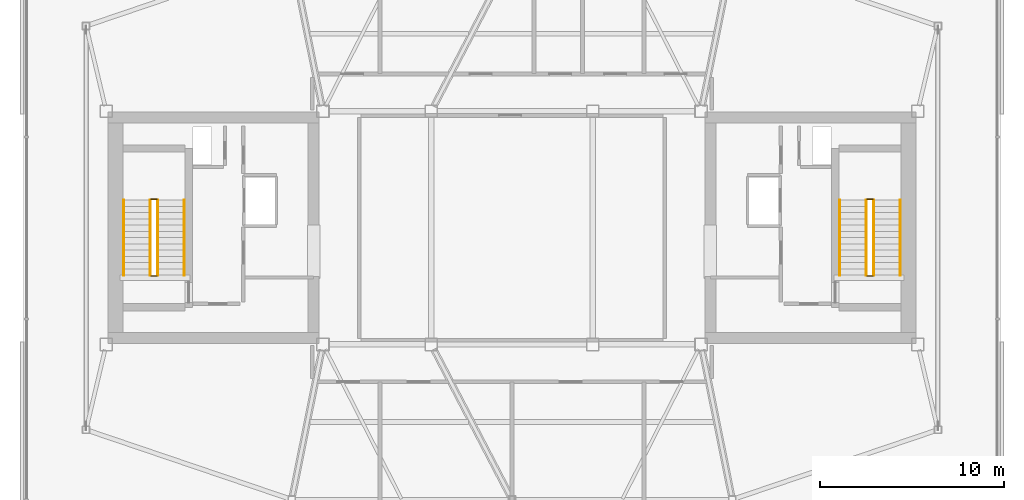
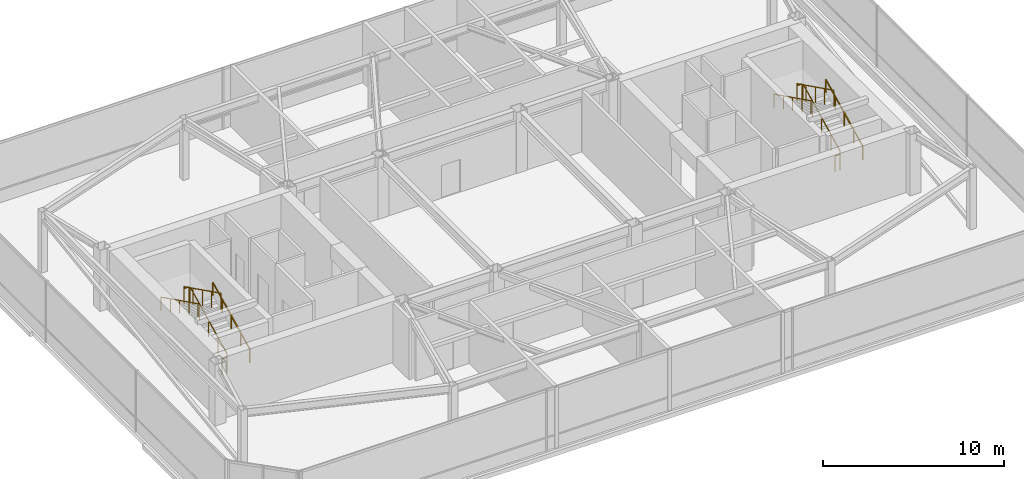
# One storey, part 21 of 21: 12 railings.
"""IFC4 building model written with IfcOpenShell, lengths in metres."""

import ifcopenshell
import ifcopenshell.guid

model = None  # the IFC model being written
_history = None  # IfcOwnerHistory: only IFC2X3 demands one
_inside = {}  # id of a spatial element -> (the spatial element, [elements in it])
_under = {}  # id of a project, library or spatial element -> (it, [spatial elements below it])
_declared = {}  # id of a project -> (the project, [libraries it declares])
_typed = {}  # id of a type object -> (the type object, [elements of that type])
_made_of = {}  # id of a material, layer set ... -> (it, [elements and type objects made of it])


def new_model(schema):
    """Start an empty IFC model of exactly this schema.

    Asked for "IFC4X3", IfcOpenShell would pick the latest addendum, in which some entities
    have other attributes; the version numbers below select the first issue.
    IFC2X3 requires an IfcOwnerHistory on every rooted entity: one is made here for all.
    """
    global model, _history
    if schema == "IFC4X3":
        model = ifcopenshell.file(schema_version=(4, 3, 0, 0))
    else:
        model = ifcopenshell.file(schema=schema)
    _inside.clear()
    _under.clear()
    _declared.clear()
    _typed.clear()
    _made_of.clear()
    _history = None
    if model.schema == "IFC2X3":
        org = make("IfcOrganization", Name="unknown")
        user = make(
            "IfcPersonAndOrganization",
            ThePerson=make("IfcPerson", FamilyName="unknown"),
            TheOrganization=org,
        )
        app = make(
            "IfcApplication",
            ApplicationDeveloper=org,
            Version="unknown",
            ApplicationFullName="unknown",
            ApplicationIdentifier="unknown",
        )
        _history = make(
            "IfcOwnerHistory",
            OwningUser=user,
            OwningApplication=app,
            ChangeAction="ADDED",
            CreationDate=0,
        )
    return model


def make(cls, **values):
    """One entity of the class cls with the attributes given. An attribute that is None is left unset."""
    return model.create_entity(
        cls, **{name: value for name, value in values.items() if value is not None}
    )


def rooted(cls, **values):
    """An entity with a GlobalId (a new one), such as an element, a storey or a relation."""
    return make(cls, GlobalId=ifcopenshell.guid.new(), OwnerHistory=_history, **values)


def si_unit(unit_type, name, prefix=None):
    """IfcSIUnit, for example si_unit("LENGTHUNIT", "METRE", prefix="MILLI")."""
    return make("IfcSIUnit", UnitType=unit_type, Prefix=prefix, Name=name)


def assignment(units):
    """IfcUnitAssignment: the units of a project."""
    return None if units is None else make("IfcUnitAssignment", Units=units)


def point(xyz):
    """IfcCartesianPoint."""
    return None if xyz is None else make("IfcCartesianPoint", Coordinates=xyz)


def direction(xyz):
    """IfcDirection."""
    return None if xyz is None else make("IfcDirection", DirectionRatios=xyz)


def frame(location, z_axis=None, x_axis=None):
    """IfcAxis2Placement3D, a coordinate frame: its origin and axes. An axis left out is left unset."""
    return make(
        "IfcAxis2Placement3D",
        Location=point(location),
        Axis=direction(z_axis),
        RefDirection=direction(x_axis),
    )


def frame_2d(location, x_axis=None):
    """IfcAxis2Placement2D, a coordinate frame in the plane: its origin and x axis."""
    return make(
        "IfcAxis2Placement2D", Location=point(location), RefDirection=direction(x_axis)
    )


def origin():
    """The frame at (0, 0, 0) with its axes left unset."""
    return frame((0.0, 0.0, 0.0))


def origin_2d():
    """The frame at (0, 0) in the plane with its x axis left unset."""
    return frame_2d((0.0, 0.0))


def place(relative_to, where):
    """IfcLocalPlacement: puts the frame where relative to a parent placement (None: the world)."""
    return make(
        "IfcLocalPlacement", PlacementRelTo=relative_to, RelativePlacement=where
    )


def context(
    kind, dimensions, precision=None, world=None, true_north=None, identifier=None
):
    """IfcGeometricRepresentationContext, for example the 3D "Model" context."""
    return make(
        "IfcGeometricRepresentationContext",
        ContextIdentifier=identifier,
        ContextType=kind,
        CoordinateSpaceDimension=dimensions,
        Precision=precision,
        WorldCoordinateSystem=world,
        TrueNorth=true_north,
    )


def subcontext(parent, identifier, kind, view, scale=None):
    """IfcGeometricRepresentationSubContext, for example "Body" below "Model"."""
    return make(
        "IfcGeometricRepresentationSubContext",
        ContextIdentifier=identifier,
        ContextType=kind,
        ParentContext=parent,
        TargetScale=scale,
        TargetView=view,
    )


def project(units=None, contexts=None):
    """IfcProject with its units and contexts."""
    return rooted(
        "IfcProject",
        Name="project",
        RepresentationContexts=contexts,
        UnitsInContext=assignment(units),
    )


def spatial(cls, under=None, at=None, **own):
    """A site, building, storey or space (cls), placed at a placement, below another one or the project."""
    s = rooted(cls, ObjectPlacement=at, **own)
    if under is not None:
        _under.setdefault(under.id(), (under, []))[1].append(s)
    return s


def profile(cls, at=None, kind="AREA", **sizes):
    """A parametric profile (cls). Its sizes go by their IFC names, for example OverallWidth=200.0."""
    return make(cls, ProfileType=kind, Position=at, **sizes)


def rectangle(**sizes):
    """IfcRectangleProfileDef."""
    return profile("IfcRectangleProfileDef", **sizes)


def extrude(swept, where, along, depth):
    """IfcExtrudedAreaSolid: the profile swept, set in the frame where, extruded along a direction by depth."""
    return make(
        "IfcExtrudedAreaSolid",
        SweptArea=swept,
        Position=where,
        ExtrudedDirection=direction(along),
        Depth=depth,
    )


def shape(context_of_items, identifier, shape_type, items):
    """IfcShapeRepresentation: the items that make up one representation, for example the "Body"."""
    return make(
        "IfcShapeRepresentation",
        ContextOfItems=context_of_items,
        RepresentationIdentifier=identifier,
        RepresentationType=shape_type,
        Items=items,
    )


def material(Name=None, Category=None):
    """IfcMaterial."""
    return make("IfcMaterial", Name=Name, Category=Category)


def layer(
    of_material, thickness, ventilated=None, Name=None, Category=None, Priority=None
):
    """IfcMaterialLayer: one layer of a wall or slab, of a material (None: an air gap)."""
    return make(
        "IfcMaterialLayer",
        Material=of_material,
        LayerThickness=thickness,
        IsVentilated=ventilated,
        Name=Name,
        Category=Category,
        Priority=Priority,
    )


def layer_set(layers, Name=None):
    """IfcMaterialLayerSet."""
    return make("IfcMaterialLayerSet", MaterialLayers=layers, LayerSetName=Name)


def made_of(thing, what):
    """Note that an element or type object is made of a material, layer set ...; save() writes the relation."""
    if what is not None:
        _made_of.setdefault(what.id(), (what, []))[1].append(thing)
    return thing


def type_object(cls, material=None, **own):
    """A type object (cls), such as IfcWallType, which elements share."""
    return made_of(rooted(cls, **own), material)


def element(
    cls,
    number,
    at=None,
    inside=None,
    cuts=None,
    type_object=None,
    material=None,
    context=None,
    identifier="Body",
    shape_type=None,
    held_by="IfcProductDefinitionShape",
    body=None,
    shapes=None,
    **own,
):
    """One element of the class cls, such as IfcWall. Its Tag is "e" and its number.

    at: its placement. inside: the storey or other place that contains it. cuts: it is an
    opening in that element (IfcRelVoidsElement). A single representation is given by context,
    identifier, shape_type and body (its items); several are given by shapes. held_by: the class
    of the entity that holds the representations. save() writes the other relations.
    """
    e = rooted(cls, Tag="e%d" % number, ObjectPlacement=at, **own)
    if body is not None:
        shapes = [shape(context, identifier, shape_type, body)]
    if shapes is not None:
        e.Representation = make(held_by, Representations=shapes)
    if inside is not None:
        _inside.setdefault(inside.id(), (inside, []))[1].append(e)
    if cuts is not None:
        rooted(
            "IfcRelVoidsElement", RelatingBuildingElement=cuts, RelatedOpeningElement=e
        )
    if type_object is not None:
        _typed.setdefault(type_object.id(), (type_object, []))[1].append(e)
    return made_of(e, material)


def aggregate(whole, parts):
    """IfcRelAggregates: a whole, such as a stair, and the parts it consists of."""
    return rooted("IfcRelAggregates", RelatingObject=whole, RelatedObjects=parts)


def save(model, path):
    """Write the relations noted so far, then the file.

    IfcRelAggregates (storeys below a building ...), IfcRelContainedInSpatialStructure (elements
    in a storey), IfcRelDefinesByType, IfcRelAssociatesMaterial and IfcRelDeclares: one each for
    every whole, place, type object, material and project.
    """
    for whole, parts in _under.values():
        aggregate(whole, parts)
    for where, things in _inside.values():
        rooted(
            "IfcRelContainedInSpatialStructure",
            RelatedElements=things,
            RelatingStructure=where,
        )
    for kind, things in _typed.values():
        rooted("IfcRelDefinesByType", RelatedObjects=things, RelatingType=kind)
    for what, things in _made_of.values():
        rooted("IfcRelAssociatesMaterial", RelatedObjects=things, RelatingMaterial=what)
    for by, libraries in _declared.values():
        rooted("IfcRelDeclares", RelatingContext=by, RelatedDefinitions=libraries)
    model.write(path)


model = new_model("IFC4")

# Units and contexts
model_context = context("Model", 3, precision=1e-05, world=origin(), true_north=direction((0.0, 1.0)))
body_context = subcontext(model_context, "Body", "Model", "MODEL_VIEW")
ifc_project = project(units=[si_unit("LENGTHUNIT", "METRE"), si_unit("AREAUNIT", "SQUARE_METRE"), si_unit("VOLUMEUNIT", "CUBIC_METRE"), si_unit("PLANEANGLEUNIT", "RADIAN"), si_unit("MASSUNIT", "GRAM", prefix="KILO")], contexts=[model_context])

# Site, building, storey
site_placement = place(None, origin())
site = spatial("IfcSite", under=ifc_project, at=site_placement, CompositionType="ELEMENT")
building_placement = place(site_placement, origin())
building = spatial("IfcBuilding", under=site, at=building_placement, Name="Tavrogorsk Clinical Tower", CompositionType="ELEMENT")
storey_placement = place(building_placement, frame((0.0, 0.0, 344.199951171875)))
storey = spatial("IfcBuildingStorey", under=building, at=storey_placement, Name="L80", CompositionType="ELEMENT", Elevation=344.199951171875)

# Railings
ifc_material_1 = material(Name="Galvanised steel S355 safety stairwell guard", Category="steel")
ifc_layer_1 = layer(ifc_material_1, 0.06005859375)
ifc_layer_set_1 = layer_set([ifc_layer_1], Name="Galvanised steel S355 safety stairwell guard")
railing_type_1 = type_object("IfcRailingType", Name="StairGuard_1150", PredefinedType="GUARDRAIL", material=ifc_layer_set_1)
railing_1_placement = place(storey_placement, frame((-19.300048828125, -2.574951171875, 0.169189453125)))
element("IfcRailing", 1, at=railing_1_placement, inside=storey, type_object=railing_type_1, Name="L80 ST-W stair guard 1", PredefinedType="GUARDRAIL", context=body_context, shape_type="SweptSolid", body=[
    extrude(rectangle(XDim=0.048095703125, YDim=0.048095703125, at=origin_2d()), frame((0.0, 0.0, 1.076171875), z_axis=(0.0, 0.895229316009, 0.445605735777), x_axis=(-1.0, 0.0, 0.0)), (0.0, 0.0, 1.0), 4.557373046875),
    extrude(rectangle(XDim=0.0419921875, YDim=0.0419921875, at=origin_2d()), origin(), (0.0, 0.0, 1.0), 1.052001953125),
    extrude(rectangle(XDim=0.0419921875, YDim=0.0419921875, at=origin_2d()), frame((0.0, 1.02001953125, 0.5078125)), (0.0, 0.0, 1.0), 1.052001953125),
    extrude(rectangle(XDim=0.0419921875, YDim=0.0419921875, at=origin_2d()), frame((0.0, 2.0400390625, 1.015380859375)), (0.0, 0.0, 1.0), 1.052001953125),
    extrude(rectangle(XDim=0.0419921875, YDim=0.0419921875, at=origin_2d()), frame((0.0, 3.059814453125, 1.52294921875)), (0.0, 0.0, 1.0), 1.052001953125),
    extrude(rectangle(XDim=0.0419921875, YDim=0.0419921875, at=origin_2d()), frame((0.0, 4.079833984375, 2.03076171875)), (0.0, 0.0, 1.0), 1.052001953125),
])
railing_2_placement = place(storey_placement, frame((-19.35009765625, 1.554931640625, 2.199951171875)))
element("IfcRailing", 2, at=railing_2_placement, inside=storey, type_object=railing_type_1, Name="L80 ST-W stair guard 2", PredefinedType="GUARDRAIL", context=body_context, shape_type="SweptSolid", body=[
    extrude(rectangle(XDim=0.048095703125, YDim=0.048095703125, at=origin_2d()), frame((0.0, 0.0, 1.076171875), z_axis=(-1.0, 0.0, 0.0), x_axis=(0.0, -1.0, 0.0)), (0.0, 0.0, 1.0), 0.2998046875),
    extrude(rectangle(XDim=0.0419921875, YDim=0.0419921875, at=origin_2d()), origin(), (0.0, 0.0, 1.0), 1.052001953125),
    extrude(rectangle(XDim=0.0419921875, YDim=0.0419921875, at=origin_2d()), frame((-0.2998046875, 0.0, 0.0)), (0.0, 0.0, 1.0), 1.052001953125),
])
railing_3_placement = place(storey_placement, frame((-19.699951171875, 1.5048828125, 2.369384765625)))
element("IfcRailing", 3, at=railing_3_placement, inside=storey, type_object=railing_type_1, Name="L80 ST-W stair guard 3", PredefinedType="GUARDRAIL", context=body_context, shape_type="SweptSolid", body=[
    extrude(rectangle(XDim=0.048095703125, YDim=0.048095703125, at=origin_2d()), frame((0.0, 0.0, 1.076171875), z_axis=(0.0, -0.895229316009, 0.445605735777), x_axis=(1.0, 0.0, 0.0)), (0.0, 0.0, 1.0), 4.557373046875),
    extrude(rectangle(XDim=0.0419921875, YDim=0.0419921875, at=origin_2d()), origin(), (0.0, 0.0, 1.0), 1.052001953125),
    extrude(rectangle(XDim=0.0419921875, YDim=0.0419921875, at=origin_2d()), frame((0.0, -1.02001953125, 0.5078125)), (0.0, 0.0, 1.0), 1.052001953125),
    extrude(rectangle(XDim=0.0419921875, YDim=0.0419921875, at=origin_2d()), frame((0.0, -2.0400390625, 1.015380859375)), (0.0, 0.0, 1.0), 1.052001953125),
    extrude(rectangle(XDim=0.0419921875, YDim=0.0419921875, at=origin_2d()), frame((0.0, -3.059814453125, 1.52294921875)), (0.0, 0.0, 1.0), 1.052001953125),
    extrude(rectangle(XDim=0.0419921875, YDim=0.0419921875, at=origin_2d()), frame((0.0, -4.079833984375, 2.03076171875)), (0.0, 0.0, 1.0), 1.052001953125),
])
railing_4_placement = place(storey_placement, frame((-19.35009765625, -2.625, 0.0)))
element("IfcRailing", 4, at=railing_4_placement, inside=storey, type_object=railing_type_1, Name="L80 ST-W stair guard 4", PredefinedType="GUARDRAIL", context=body_context, shape_type="SweptSolid", body=[
    extrude(rectangle(XDim=0.048095703125, YDim=0.048095703125, at=origin_2d()), frame((0.0, 0.0, 1.076171875), z_axis=(-1.0, 0.0, 0.0), x_axis=(0.0, -1.0, 0.0)), (0.0, 0.0, 1.0), 0.2998046875),
    extrude(rectangle(XDim=0.0419921875, YDim=0.0419921875, at=origin_2d()), origin(), (0.0, 0.0, 1.0), 1.052001953125),
    extrude(rectangle(XDim=0.0419921875, YDim=0.0419921875, at=origin_2d()), frame((-0.2998046875, 0.0, 0.0)), (0.0, 0.0, 1.0), 1.052001953125),
])
railing_5_placement = place(storey_placement, frame((19.699951171875, -2.574951171875, 0.169189453125)))
element("IfcRailing", 5, at=railing_5_placement, inside=storey, type_object=railing_type_1, Name="L80 ST-E stair guard 1", PredefinedType="GUARDRAIL", context=body_context, shape_type="SweptSolid", body=[
    extrude(rectangle(XDim=0.048095703125, YDim=0.048095703125, at=origin_2d()), frame((0.0, 0.0, 1.076171875), z_axis=(0.0, 0.895229316009, 0.445605735777), x_axis=(-1.0, 0.0, 0.0)), (0.0, 0.0, 1.0), 4.557373046875),
    extrude(rectangle(XDim=0.0419921875, YDim=0.0419921875, at=origin_2d()), origin(), (0.0, 0.0, 1.0), 1.052001953125),
    extrude(rectangle(XDim=0.0419921875, YDim=0.0419921875, at=origin_2d()), frame((0.0, 1.02001953125, 0.5078125)), (0.0, 0.0, 1.0), 1.052001953125),
    extrude(rectangle(XDim=0.0419921875, YDim=0.0419921875, at=origin_2d()), frame((0.0, 2.0400390625, 1.015380859375)), (0.0, 0.0, 1.0), 1.052001953125),
    extrude(rectangle(XDim=0.0419921875, YDim=0.0419921875, at=origin_2d()), frame((0.0, 3.059814453125, 1.52294921875)), (0.0, 0.0, 1.0), 1.052001953125),
    extrude(rectangle(XDim=0.0419921875, YDim=0.0419921875, at=origin_2d()), frame((0.0, 4.079833984375, 2.03076171875)), (0.0, 0.0, 1.0), 1.052001953125),
])
railing_6_placement = place(storey_placement, frame((19.64990234375, 1.554931640625, 2.199951171875)))
element("IfcRailing", 6, at=railing_6_placement, inside=storey, type_object=railing_type_1, Name="L80 ST-E stair guard 2", PredefinedType="GUARDRAIL", context=body_context, shape_type="SweptSolid", body=[
    extrude(rectangle(XDim=0.048095703125, YDim=0.048095703125, at=origin_2d()), frame((0.0, 0.0, 1.076171875), z_axis=(-1.0, 0.0, 0.0), x_axis=(0.0, -1.0, 0.0)), (0.0, 0.0, 1.0), 0.2998046875),
    extrude(rectangle(XDim=0.0419921875, YDim=0.0419921875, at=origin_2d()), origin(), (0.0, 0.0, 1.0), 1.052001953125),
    extrude(rectangle(XDim=0.0419921875, YDim=0.0419921875, at=origin_2d()), frame((-0.2998046875, 0.0, 0.0)), (0.0, 0.0, 1.0), 1.052001953125),
])
railing_7_placement = place(storey_placement, frame((19.300048828125, 1.5048828125, 2.369384765625)))
element("IfcRailing", 7, at=railing_7_placement, inside=storey, type_object=railing_type_1, Name="L80 ST-E stair guard 3", PredefinedType="GUARDRAIL", context=body_context, shape_type="SweptSolid", body=[
    extrude(rectangle(XDim=0.048095703125, YDim=0.048095703125, at=origin_2d()), frame((0.0, 0.0, 1.076171875), z_axis=(0.0, -0.895229316009, 0.445605735777), x_axis=(1.0, 0.0, 0.0)), (0.0, 0.0, 1.0), 4.557373046875),
    extrude(rectangle(XDim=0.0419921875, YDim=0.0419921875, at=origin_2d()), origin(), (0.0, 0.0, 1.0), 1.052001953125),
    extrude(rectangle(XDim=0.0419921875, YDim=0.0419921875, at=origin_2d()), frame((0.0, -1.02001953125, 0.5078125)), (0.0, 0.0, 1.0), 1.052001953125),
    extrude(rectangle(XDim=0.0419921875, YDim=0.0419921875, at=origin_2d()), frame((0.0, -2.0400390625, 1.015380859375)), (0.0, 0.0, 1.0), 1.052001953125),
    extrude(rectangle(XDim=0.0419921875, YDim=0.0419921875, at=origin_2d()), frame((0.0, -3.059814453125, 1.52294921875)), (0.0, 0.0, 1.0), 1.052001953125),
    extrude(rectangle(XDim=0.0419921875, YDim=0.0419921875, at=origin_2d()), frame((0.0, -4.079833984375, 2.03076171875)), (0.0, 0.0, 1.0), 1.052001953125),
])
railing_8_placement = place(storey_placement, frame((19.64990234375, -2.625, 0.0)))
element("IfcRailing", 8, at=railing_8_placement, inside=storey, type_object=railing_type_1, Name="L80 ST-E stair guard 4", PredefinedType="GUARDRAIL", context=body_context, shape_type="SweptSolid", body=[
    extrude(rectangle(XDim=0.048095703125, YDim=0.048095703125, at=origin_2d()), frame((0.0, 0.0, 1.076171875), z_axis=(-1.0, 0.0, 0.0), x_axis=(0.0, -1.0, 0.0)), (0.0, 0.0, 1.0), 0.2998046875),
    extrude(rectangle(XDim=0.0419921875, YDim=0.0419921875, at=origin_2d()), origin(), (0.0, 0.0, 1.0), 1.052001953125),
    extrude(rectangle(XDim=0.0419921875, YDim=0.0419921875, at=origin_2d()), frame((-0.2998046875, 0.0, 0.0)), (0.0, 0.0, 1.0), 1.052001953125),
])
ifc_material_2 = material(Name="Stainless steel AISI 304 tubular handrail", Category="steel")
ifc_layer_2 = layer(ifc_material_2, 0.050048828125)
ifc_layer_set_2 = layer_set([ifc_layer_2], Name="Stainless steel AISI 304 tubular handrail")
railing_type_2 = type_object("IfcRailingType", Name="StairHandrail_920", PredefinedType="HANDRAIL", material=ifc_layer_set_2)
railing_9_placement = place(storey_placement, frame((-17.85009765625, -2.574951171875, 0.169189453125)))
element("IfcRailing", 9, at=railing_9_placement, inside=storey, type_object=railing_type_2, Name="L80 ST-W stair handrail 1", PredefinedType="HANDRAIL", context=body_context, shape_type="SweptSolid", body=[
    extrude(rectangle(XDim=0.048095703125, YDim=0.048095703125, at=origin_2d()), frame((0.0, 0.0, 0.8759765625), z_axis=(0.0, 0.895229316009, 0.445605735777), x_axis=(-1.0, 0.0, 0.0)), (0.0, 0.0, 1.0), 4.557373046875),
    extrude(rectangle(XDim=0.0419921875, YDim=0.0419921875, at=origin_2d()), origin(), (0.0, 0.0, 1.0), 0.851806640625),
    extrude(rectangle(XDim=0.0419921875, YDim=0.0419921875, at=origin_2d()), frame((0.0, 1.02001953125, 0.5078125)), (0.0, 0.0, 1.0), 0.851806640625),
    extrude(rectangle(XDim=0.0419921875, YDim=0.0419921875, at=origin_2d()), frame((0.0, 2.0400390625, 1.015380859375)), (0.0, 0.0, 1.0), 0.851806640625),
    extrude(rectangle(XDim=0.0419921875, YDim=0.0419921875, at=origin_2d()), frame((0.0, 3.059814453125, 1.52294921875)), (0.0, 0.0, 1.0), 0.851806640625),
    extrude(rectangle(XDim=0.0419921875, YDim=0.0419921875, at=origin_2d()), frame((0.0, 4.079833984375, 2.03076171875)), (0.0, 0.0, 1.0), 0.851806640625),
])
railing_10_placement = place(storey_placement, frame((-21.14990234375, 1.5048828125, 2.369384765625)))
element("IfcRailing", 10, at=railing_10_placement, inside=storey, type_object=railing_type_2, Name="L80 ST-W stair handrail 2", PredefinedType="HANDRAIL", context=body_context, shape_type="SweptSolid", body=[
    extrude(rectangle(XDim=0.048095703125, YDim=0.048095703125, at=origin_2d()), frame((0.0, 0.0, 0.8759765625), z_axis=(0.0, -0.895229316009, 0.445605735777), x_axis=(1.0, 0.0, 0.0)), (0.0, 0.0, 1.0), 4.557373046875),
    extrude(rectangle(XDim=0.0419921875, YDim=0.0419921875, at=origin_2d()), origin(), (0.0, 0.0, 1.0), 0.851806640625),
    extrude(rectangle(XDim=0.0419921875, YDim=0.0419921875, at=origin_2d()), frame((0.0, -1.02001953125, 0.5078125)), (0.0, 0.0, 1.0), 0.851806640625),
    extrude(rectangle(XDim=0.0419921875, YDim=0.0419921875, at=origin_2d()), frame((0.0, -2.0400390625, 1.015380859375)), (0.0, 0.0, 1.0), 0.851806640625),
    extrude(rectangle(XDim=0.0419921875, YDim=0.0419921875, at=origin_2d()), frame((0.0, -3.059814453125, 1.52294921875)), (0.0, 0.0, 1.0), 0.851806640625),
    extrude(rectangle(XDim=0.0419921875, YDim=0.0419921875, at=origin_2d()), frame((0.0, -4.079833984375, 2.03076171875)), (0.0, 0.0, 1.0), 0.851806640625),
])
railing_11_placement = place(storey_placement, frame((21.14990234375, -2.574951171875, 0.169189453125)))
element("IfcRailing", 11, at=railing_11_placement, inside=storey, type_object=railing_type_2, Name="L80 ST-E stair handrail 1", PredefinedType="HANDRAIL", context=body_context, shape_type="SweptSolid", body=[
    extrude(rectangle(XDim=0.048095703125, YDim=0.048095703125, at=origin_2d()), frame((0.0, 0.0, 0.8759765625), z_axis=(0.0, 0.895229316009, 0.445605735777), x_axis=(-1.0, 0.0, 0.0)), (0.0, 0.0, 1.0), 4.557373046875),
    extrude(rectangle(XDim=0.0419921875, YDim=0.0419921875, at=origin_2d()), origin(), (0.0, 0.0, 1.0), 0.851806640625),
    extrude(rectangle(XDim=0.0419921875, YDim=0.0419921875, at=origin_2d()), frame((0.0, 1.02001953125, 0.5078125)), (0.0, 0.0, 1.0), 0.851806640625),
    extrude(rectangle(XDim=0.0419921875, YDim=0.0419921875, at=origin_2d()), frame((0.0, 2.0400390625, 1.015380859375)), (0.0, 0.0, 1.0), 0.851806640625),
    extrude(rectangle(XDim=0.0419921875, YDim=0.0419921875, at=origin_2d()), frame((0.0, 3.059814453125, 1.52294921875)), (0.0, 0.0, 1.0), 0.851806640625),
    extrude(rectangle(XDim=0.0419921875, YDim=0.0419921875, at=origin_2d()), frame((0.0, 4.079833984375, 2.03076171875)), (0.0, 0.0, 1.0), 0.851806640625),
])
railing_12_placement = place(storey_placement, frame((17.85009765625, 1.5048828125, 2.369384765625)))
element("IfcRailing", 12, at=railing_12_placement, inside=storey, type_object=railing_type_2, Name="L80 ST-E stair handrail 2", PredefinedType="HANDRAIL", context=body_context, shape_type="SweptSolid", body=[
    extrude(rectangle(XDim=0.048095703125, YDim=0.048095703125, at=origin_2d()), frame((0.0, 0.0, 0.8759765625), z_axis=(0.0, -0.895229316009, 0.445605735777), x_axis=(1.0, 0.0, 0.0)), (0.0, 0.0, 1.0), 4.557373046875),
    extrude(rectangle(XDim=0.0419921875, YDim=0.0419921875, at=origin_2d()), origin(), (0.0, 0.0, 1.0), 0.851806640625),
    extrude(rectangle(XDim=0.0419921875, YDim=0.0419921875, at=origin_2d()), frame((0.0, -1.02001953125, 0.5078125)), (0.0, 0.0, 1.0), 0.851806640625),
    extrude(rectangle(XDim=0.0419921875, YDim=0.0419921875, at=origin_2d()), frame((0.0, -2.0400390625, 1.015380859375)), (0.0, 0.0, 1.0), 0.851806640625),
    extrude(rectangle(XDim=0.0419921875, YDim=0.0419921875, at=origin_2d()), frame((0.0, -3.059814453125, 1.52294921875)), (0.0, 0.0, 1.0), 0.851806640625),
    extrude(rectangle(XDim=0.0419921875, YDim=0.0419921875, at=origin_2d()), frame((0.0, -4.079833984375, 2.03076171875)), (0.0, 0.0, 1.0), 0.851806640625),
])

save(model, "model.ifc")
